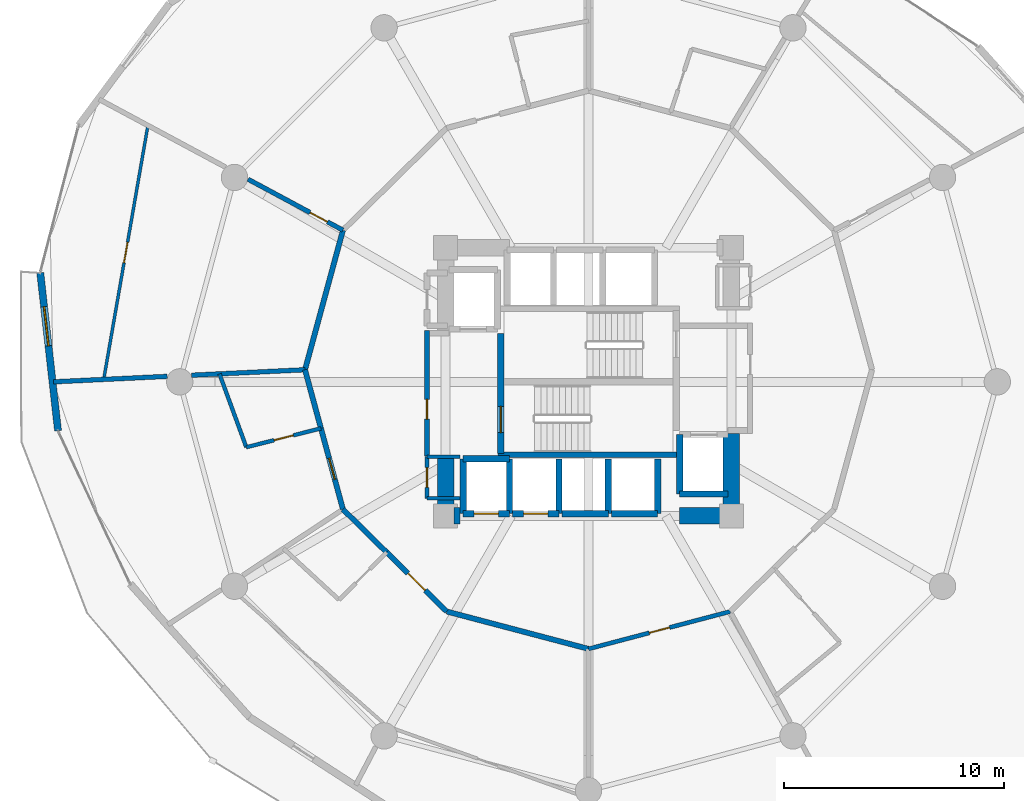
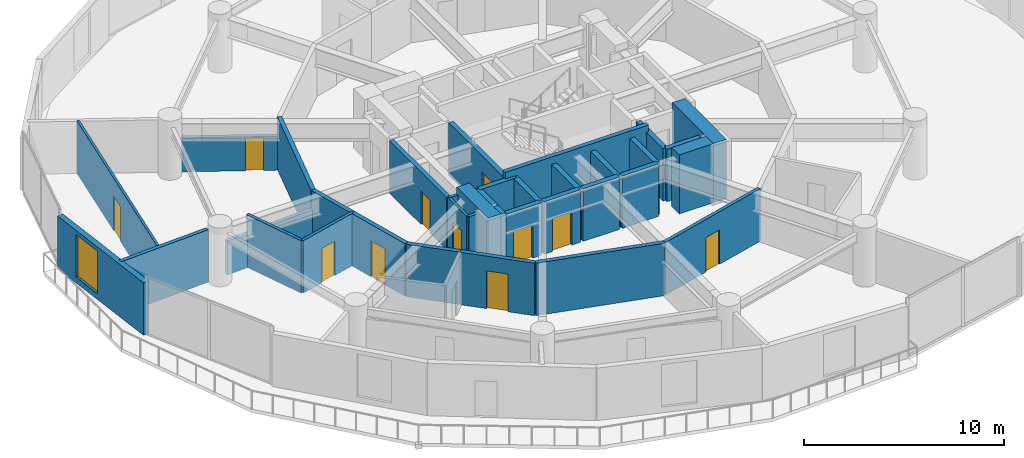
# One storey, part 19 of 24: 36 walls, 11 doors, 1 window, 12 openings.
"""IFC4 building model written with IfcOpenShell, lengths in metres."""

from ifc_helpers import new_model, si_unit, direction, frame, frame_2d, origin, place, context, subcontext, project, spatial, rectangle, extrude, material, layer, layer_set, type_object, element, fill, save


model = new_model("IFC4")

# Units and contexts
model_context = context("Model", 3, precision=1e-05, world=origin(), true_north=direction((0.0, 1.0)))
body_context = subcontext(model_context, "Body", "Model", "MODEL_VIEW")
ifc_project = project(units=[si_unit("LENGTHUNIT", "METRE"), si_unit("AREAUNIT", "SQUARE_METRE"), si_unit("VOLUMEUNIT", "CUBIC_METRE"), si_unit("PLANEANGLEUNIT", "RADIAN"), si_unit("MASSUNIT", "GRAM", prefix="KILO")], contexts=[model_context])

# Site, building, storey
site_placement = place(None, origin())
site = spatial("IfcSite", under=ifc_project, at=site_placement, CompositionType="ELEMENT")
building_placement = place(site_placement, origin())
building = spatial("IfcBuilding", under=site, at=building_placement, Name="Solvirekh Grand Hotel", CompositionType="ELEMENT")
storey_placement = place(building_placement, frame((0.0, 0.0, 89.60009765625)))
storey = spatial("IfcBuildingStorey", under=building, at=storey_placement, Name="L22", CompositionType="ELEMENT", Elevation=89.60009765625)

# Wall
ifc_material_1 = material(Name="Concrete C50/60", Category="concrete")
ifc_layer_1 = layer(ifc_material_1, 0.35009765625)
ifc_layer_set_1 = layer_set([ifc_layer_1], Name="Concrete C50/60")
wall_type_1 = type_object("IfcWallType", Name="CoreDivWall_RC350", PredefinedType="SOLIDWALL", material=ifc_layer_set_1)
wall_1_placement = place(storey_placement, frame((-4.1298828125, -3.324951171875, 0.0), z_axis=(0.0, 0.0, 1.0), x_axis=(1.0, 0.0, 0.0)))
element("IfcWall", 1, at=wall_1_placement, inside=storey, type_object=wall_type_1, Name="L22 core stair box wall ST-S", PredefinedType="SOLIDWALL", context=body_context, shape_type="SweptSolid", body=[
    extrude(rectangle(XDim=8.259765625, YDim=0.25, at=frame_2d((4.1298828125, 0.0))), origin(), (0.0, 0.0, 1.0), 3.599853515625),
])

# Wall, opening, door
ifc_material_2 = material(Name="Concrete C40/50", Category="concrete")
ifc_layer_2 = layer(ifc_material_2, 0.280029296875)
ifc_layer_set_2 = layer_set([ifc_layer_2], Name="Concrete C40/50")
wall_type_2 = type_object("IfcWallType", Name="CoreShaftWall_RC280", PredefinedType="SOLIDWALL", material=ifc_layer_set_2)
wall_2_placement = place(storey_placement, frame((-5.699951171875, -6.0, 0.0), z_axis=(0.0, 0.0, 1.0), x_axis=(1.0, 0.0, 0.0)))
wall_2 = element("IfcWall", 2, at=wall_2_placement, inside=storey, type_object=wall_type_2, Name="L22 LP-1 hoistway S wall", PredefinedType="SOLIDWALL", context=body_context, shape_type="SweptSolid", body=[
    extrude(rectangle(XDim=2.099853515625, YDim=0.280029296875, at=frame_2d((1.0498046875, 0.0))), origin(), (0.0, 0.0, 1.0), 3.199951171875),
])
opening_1_placement = place(wall_2_placement, frame((0.5, 0.0, 0.0)))
opening_1 = element("IfcOpeningElement", 3, at=opening_1_placement, cuts=wall_2, Name="Opening LD03", PredefinedType="OPENING", context=body_context, shape_type="SweptSolid", body=[
    extrude(rectangle(XDim=1.10009765625, YDim=2.02001953125, at=frame_2d((0.550048828125, 1.010009765625))), frame((0.0, 0.14990234375, 0.0), z_axis=(0.0, -1.0, 0.0), x_axis=(1.0, 0.0, 0.0)), (0.0, 0.0, 1.0), 0.300048828125),
])
ifc_material_3 = material(Name="Fire-Rated Steel Door Assembly", Category="steel")
door_type_1 = type_object("IfcDoorType", Name="Door_LiftLow_1100X2020", OperationType="SLIDING_TO_LEFT", PredefinedType="DOOR", material=ifc_material_3)
door_1_placement = place(opening_1_placement, origin())
door_1 = element("IfcDoor", 4, at=door_1_placement, inside=storey, type_object=door_type_1, Name="L22 LP-1 sliding lift landing door", OperationType="SLIDING_TO_LEFT", OverallHeight=2.02001953125, OverallWidth=1.10009765625, PredefinedType="DOOR", context=body_context, shape_type="SweptSolid", body=[
    extrude(rectangle(XDim=1.10009765625, YDim=2.02001953125, at=frame_2d((0.550048828125, 1.010009765625))), frame((0.0, 0.02490234375, 0.0), z_axis=(0.0, -1.0, 0.0), x_axis=(1.0, 0.0, 0.0)), (0.0, 0.0, 1.0), 0.050048828125),
])
fill(opening_1, door_1)

# Walls
wall_3_placement = place(storey_placement, frame((-3.60009765625, -3.5, 0.0), z_axis=(0.0, 0.0, 1.0), x_axis=(-1.0, 0.0, 0.0)))
element("IfcWall", 5, at=wall_3_placement, inside=storey, type_object=wall_type_2, Name="L22 LP-1 hoistway N wall", PredefinedType="SOLIDWALL", context=body_context, shape_type="SweptSolid", body=[
    extrude(rectangle(XDim=2.099853515625, YDim=0.280029296875, at=frame_2d((1.0498046875, 0.0))), origin(), (0.0, 0.0, 1.0), 3.199951171875),
])
for number, where, z_axis, x_axis, name in (
    (6, (-5.699951171875, -3.5, 0.0), (0.0, 0.0, 1.0), (0.0, -1.0, 0.0), "L22 LP-1 hoistway W wall"),
    (7, (-3.60009765625, -6.0, 0.0), (0.0, 0.0, 1.0), (0.0, 1.0, 0.0), "L22 LP-1 hoistway E wall"),
):
    element("IfcWall", number, at=place(storey_placement, frame(where, z_axis=z_axis, x_axis=x_axis)), inside=storey, type_object=wall_type_2, Name=name, PredefinedType="SOLIDWALL", context=body_context, shape_type="SweptSolid", body=[
        extrude(rectangle(XDim=2.5, YDim=0.280029296875, at=frame_2d((1.25, 0.0))), origin(), (0.0, 0.0, 1.0), 3.199951171875),
    ])

# Wall, opening, door
wall_4_placement = place(storey_placement, frame((-3.449951171875, -6.0, 0.0), z_axis=(0.0, 0.0, 1.0), x_axis=(1.0, 0.0, 0.0)))
wall_4 = element("IfcWall", 8, at=wall_4_placement, inside=storey, type_object=wall_type_2, Name="L22 LP-2 hoistway S wall", PredefinedType="SOLIDWALL", context=body_context, shape_type="SweptSolid", body=[
    extrude(rectangle(XDim=2.099853515625, YDim=0.280029296875, at=frame_2d((1.0498046875, 0.0))), origin(), (0.0, 0.0, 1.0), 3.199951171875),
])
opening_2_placement = place(wall_4_placement, frame((0.5, 0.0, 0.0)))
opening_2 = element("IfcOpeningElement", 9, at=opening_2_placement, cuts=wall_4, Name="Opening LD03", PredefinedType="OPENING", context=body_context, shape_type="SweptSolid", body=[
    extrude(rectangle(XDim=1.10009765625, YDim=2.02001953125, at=frame_2d((0.550048828125, 1.010009765625))), frame((0.0, 0.14990234375, 0.0), z_axis=(0.0, -1.0, 0.0), x_axis=(1.0, 0.0, 0.0)), (0.0, 0.0, 1.0), 0.300048828125),
])
door_2_placement = place(opening_2_placement, origin())
door_2 = element("IfcDoor", 10, at=door_2_placement, inside=storey, type_object=door_type_1, Name="L22 LP-2 sliding lift landing door", OperationType="SLIDING_TO_LEFT", OverallHeight=2.02001953125, OverallWidth=1.10009765625, PredefinedType="DOOR", context=body_context, shape_type="SweptSolid", body=[
    extrude(rectangle(XDim=1.10009765625, YDim=2.02001953125, at=frame_2d((0.550048828125, 1.010009765625))), frame((0.0, 0.02490234375, 0.0), z_axis=(0.0, -1.0, 0.0), x_axis=(1.0, 0.0, 0.0)), (0.0, 0.0, 1.0), 0.050048828125),
])
fill(opening_2, door_2)

# Walls
wall_5_placement = place(storey_placement, frame((-1.35009765625, -6.0, 0.0), z_axis=(0.0, 0.0, 1.0), x_axis=(0.0, 1.0, 0.0)))
element("IfcWall", 11, at=wall_5_placement, inside=storey, type_object=wall_type_2, Name="L22 LP-2 hoistway E wall", PredefinedType="SOLIDWALL", context=body_context, shape_type="SweptSolid", body=[
    extrude(rectangle(XDim=2.5, YDim=0.280029296875, at=frame_2d((1.25, 0.0))), origin(), (0.0, 0.0, 1.0), 3.199951171875),
])
wall_6_placement = place(storey_placement, frame((-1.199951171875, -6.0, 0.0), z_axis=(0.0, 0.0, 1.0), x_axis=(1.0, 0.0, 0.0)))
element("IfcWall", 12, at=wall_6_placement, inside=storey, type_object=wall_type_2, Name="L22 MP-1 hoistway S wall", PredefinedType="SOLIDWALL", context=body_context, shape_type="SweptSolid", body=[
    extrude(rectangle(XDim=2.099853515625, YDim=0.280029296875, at=frame_2d((1.0498046875, 0.0))), origin(), (0.0, 0.0, 1.0), 3.199951171875),
])
wall_7_placement = place(storey_placement, frame((0.89990234375, -6.0, 0.0), z_axis=(0.0, 0.0, 1.0), x_axis=(0.0, 1.0, 0.0)))
element("IfcWall", 13, at=wall_7_placement, inside=storey, type_object=wall_type_2, Name="L22 MP-1 hoistway E wall", PredefinedType="SOLIDWALL", context=body_context, shape_type="SweptSolid", body=[
    extrude(rectangle(XDim=2.5, YDim=0.280029296875, at=frame_2d((1.25, 0.0))), origin(), (0.0, 0.0, 1.0), 3.199951171875),
])
wall_8_placement = place(storey_placement, frame((1.050048828125, -6.0, 0.0), z_axis=(0.0, 0.0, 1.0), x_axis=(1.0, 0.0, 0.0)))
element("IfcWall", 14, at=wall_8_placement, inside=storey, type_object=wall_type_2, Name="L22 MP-2 hoistway S wall", PredefinedType="SOLIDWALL", context=body_context, shape_type="SweptSolid", body=[
    extrude(rectangle(XDim=2.099853515625, YDim=0.280029296875, at=frame_2d((1.0498046875, 0.0))), origin(), (0.0, 0.0, 1.0), 3.199951171875),
])
wall_9_placement = place(storey_placement, frame((3.14990234375, -6.0, 0.0), z_axis=(0.0, 0.0, 1.0), x_axis=(0.0, 1.0, 0.0)))
element("IfcWall", 15, at=wall_9_placement, inside=storey, type_object=wall_type_2, Name="L22 MP-2 hoistway E wall", PredefinedType="SOLIDWALL", context=body_context, shape_type="SweptSolid", body=[
    extrude(rectangle(XDim=2.5, YDim=0.280029296875, at=frame_2d((1.25, 0.0))), origin(), (0.0, 0.0, 1.0), 3.199951171875),
])
wall_10_placement = place(storey_placement, frame((4.14990234375, -5.10009765625, 0.0), z_axis=(0.0, 0.0, 1.0), x_axis=(1.0, 0.0, 0.0)))
element("IfcWall", 16, at=wall_10_placement, inside=storey, type_object=wall_type_2, Name="L22 FL-2 hoistway S wall", PredefinedType="SOLIDWALL", context=body_context, shape_type="SweptSolid", body=[
    extrude(rectangle(XDim=2.2001953125, YDim=0.280029296875, at=frame_2d((1.10009765625, 0.0))), origin(), (0.0, 0.0, 1.0), 3.199951171875),
])
wall_11_placement = place(storey_placement, frame((4.14990234375, -2.39990234375, 0.0), z_axis=(0.0, 0.0, 1.0), x_axis=(0.0, -1.0, 0.0)))
element("IfcWall", 17, at=wall_11_placement, inside=storey, type_object=wall_type_2, Name="L22 FL-2 hoistway W wall", PredefinedType="SOLIDWALL", context=body_context, shape_type="SweptSolid", body=[
    extrude(rectangle(XDim=2.7001953125, YDim=0.280029296875, at=frame_2d((1.35009765625, 0.0))), origin(), (0.0, 0.0, 1.0), 3.199951171875),
])

# Wall, opening, door
wall_12_placement = place(storey_placement, frame((-3.989990234375, -3.25, 0.0), z_axis=(0.0, 0.0, 1.0), x_axis=(0.0, 1.0, 0.0)))
wall_12 = element("IfcWall", 18, at=wall_12_placement, inside=storey, type_object=wall_type_2, Name="L22 west stair landing enclosure wall", PredefinedType="SOLIDWALL", context=body_context, shape_type="SweptSolid", body=[
    extrude(rectangle(XDim=5.4599609375, YDim=0.280029296875, at=frame_2d((2.72998046875, 0.0))), origin(), (0.0, 0.0, 1.0), 3.199951171875),
])
opening_3_placement = place(wall_12_placement, frame((0.93701171875, 0.0, 0.0)))
opening_3 = element("IfcOpeningElement", 19, at=opening_3_placement, cuts=wall_12, Name="Opening D05", PredefinedType="OPENING", context=body_context, shape_type="SweptSolid", body=[
    extrude(rectangle(XDim=1.199951171875, YDim=2.199951171875, at=frame_2d((0.60009765625, 1.10009765625))), frame((0.0, 0.14990234375, 0.0), z_axis=(0.0, -1.0, 0.0), x_axis=(1.0, 0.0, 0.0)), (0.0, 0.0, 1.0), 0.300048828125),
])
door_type_2 = type_object("IfcDoorType", Name="Door_StairCore_1200X2200", OperationType="NOTDEFINED", PredefinedType="DOOR", material=ifc_material_3)
door_3_placement = place(opening_3_placement, origin())
door_3 = element("IfcDoor", 20, at=door_3_placement, inside=storey, type_object=door_type_2, Name="L22 exit stair ST-1 fire door", OperationType="SINGLE_SWING_RIGHT", OverallHeight=2.199951171875, OverallWidth=1.199951171875, PredefinedType="DOOR", context=body_context, shape_type="SweptSolid", body=[
    extrude(rectangle(XDim=1.199951171875, YDim=2.199951171875, at=frame_2d((0.60009765625, 1.10009765625))), frame((0.0, 0.02490234375, 0.0), z_axis=(0.0, -1.0, 0.0), x_axis=(1.0, 0.0, 0.0)), (0.0, 0.0, 1.0), 0.050048828125),
])
fill(opening_3, door_3)

# Walls
ifc_material_4 = material(Name="Concrete C60/75", Category="concrete")
ifc_layer_3 = layer(ifc_material_4, 0.75)
ifc_layer_set_3 = layer_set([ifc_layer_3], Name="Concrete C60/75")
wall_type_3 = type_object("IfcWallType", Name="CoreWall_RC750", PredefinedType="SHEAR", material=ifc_layer_set_3)
wall_13_placement = place(storey_placement, frame((-6.125, -6.10009765625, 0.0), z_axis=(0.0, 0.0, 1.0), x_axis=(1.0, 0.0, 0.0)))
element("IfcWall", 21, at=wall_13_placement, inside=storey, type_object=wall_type_3, Name="L22 core corner shear wall SW-S", PredefinedType="SHEAR", context=body_context, shape_type="SweptSolid", body=[
    extrude(rectangle(XDim=0.27490234375, YDim=0.75, at=frame_2d((0.137451171875, 0.0))), origin(), (0.0, 0.0, 1.0), 3.599853515625),
])
wall_14_placement = place(storey_placement, frame((4.14990234375, -6.10009765625, 0.0), z_axis=(0.0, 0.0, 1.0), x_axis=(1.0, 0.0, 0.0)))
element("IfcWall", 22, at=wall_14_placement, inside=storey, type_object=wall_type_3, Name="L22 core corner shear wall SE-S", PredefinedType="SHEAR", context=body_context, shape_type="SweptSolid", body=[
    extrude(rectangle(XDim=1.97509765625, YDim=0.75, at=frame_2d((0.987548828125, 0.0))), origin(), (0.0, 0.0, 1.0), 3.599853515625),
])
wall_15_placement = place(storey_placement, frame((-6.5, -6.47509765625, 0.0), z_axis=(0.0, 0.0, 1.0), x_axis=(0.0, 1.0, 0.0)))
element("IfcWall", 23, at=wall_15_placement, inside=storey, type_object=wall_type_3, Name="L22 core corner shear wall WS-W", PredefinedType="SHEAR", context=body_context, shape_type="SweptSolid", body=[
    extrude(rectangle(XDim=3.125, YDim=0.75, at=frame_2d((1.5625, 0.0))), origin(), (0.0, 0.0, 1.0), 3.599853515625),
])
wall_16_placement = place(storey_placement, frame((6.5, -6.47509765625, 0.0), z_axis=(0.0, 0.0, 1.0), x_axis=(0.0, 1.0, 0.0)))
element("IfcWall", 24, at=wall_16_placement, inside=storey, type_object=wall_type_3, Name="L22 core corner shear wall ES-E", PredefinedType="SHEAR", context=body_context, shape_type="SweptSolid", body=[
    extrude(rectangle(XDim=4.125, YDim=0.75, at=frame_2d((2.0625, 0.0))), origin(), (0.0, 0.0, 1.0), 3.599853515625),
])

# Wall, opening, window
ifc_material_5 = material(Name="Precast concrete C45/55", Category="concrete")
ifc_layer_4 = layer(ifc_material_5, 0.320068359375)
ifc_layer_set_4 = layer_set([ifc_layer_4], Name="Precast concrete C45/55")
wall_type_4 = type_object("IfcWallType", Name="ExtLobbyWall_RC320", PredefinedType="SOLIDWALL", material=ifc_layer_set_4)
wall_17_placement = place(storey_placement, frame((-24.136962890625, -2.22412109375, 0.0), z_axis=(0.0, 0.0, 1.0), x_axis=(-0.111716865036, 0.99374007772, 0.0)))
wall_17 = element("IfcWall", 25, at=wall_17_placement, inside=storey, type_object=wall_type_4, Name="L22 exterior structural wall chord 12", PredefinedType="SOLIDWALL", context=body_context, shape_type="SweptSolid", body=[
    extrude(rectangle(XDim=7.2333984375, YDim=0.320068359375, at=frame_2d((3.61669921875, 0.0))), origin(), (0.0, 0.0, 1.0), 3.199951171875),
])
opening_4_placement = place(wall_17_placement, frame((3.883056640625, 0.0, 0.35009765625)))
opening_4 = element("IfcOpeningElement", 26, at=opening_4_placement, cuts=wall_17, Name="Opening W02", PredefinedType="OPENING", context=body_context, shape_type="SweptSolid", body=[
    extrude(rectangle(XDim=1.800048828125, YDim=2.60009765625, at=frame_2d((0.89990234375, 1.300048828125))), frame((0.0, 0.169921875, 0.0), z_axis=(0.0, -1.0, 0.0), x_axis=(1.0, 0.0, 0.0)), (0.0, 0.0, 1.0), 0.340087890625),
])
ifc_material_6 = material(Name="Low-E Tinted Bronze Laminated Glass", Category="aluminium")
window_type = type_object("IfcWindowType", Name="Win_LobbyExt_1800X2600", PartitioningType="SINGLE_PANEL", PredefinedType="WINDOW", material=ifc_material_6)
window_placement = place(opening_4_placement, origin())
window = element("IfcWindow", 27, at=window_placement, inside=storey, type_object=window_type, Name="L22 panoramic bronze-framed window 12", OverallHeight=2.60009765625, OverallWidth=1.800048828125, PartitioningType="SINGLE_PANEL", PredefinedType="WINDOW", context=body_context, shape_type="SweptSolid", body=[
    extrude(rectangle(XDim=1.800048828125, YDim=2.60009765625, at=frame_2d((0.89990234375, 1.300048828125))), frame((0.0, 0.030029296875, 0.0), z_axis=(0.0, -1.0, 0.0), x_axis=(1.0, 0.0, 0.0)), (0.0, 0.0, 1.0), 0.06005859375),
])
fill(opening_4, window)

# Walls
ifc_material_7 = material(Name="Acoustic Gypsum Partition Assembly")
ifc_layer_5 = layer(ifc_material_7, 0.1650390625)
ifc_layer_set_5 = layer_set([ifc_layer_5], Name="Acoustic Gypsum Partition Assembly")
wall_type_5 = type_object("IfcWallType", Name="Part_BOH_165", PredefinedType="PARTITIONING", material=ifc_layer_set_5)
for number, where, z_axis, x_axis, name in (
    (28, (-7.35009765625, -5.300048828125, 0.0), (0.0, 0.0, 1.0), (1.0, 0.0, 0.0), "L22 L22 Butler Service Closet wall 1"),
    (29, (-5.85009765625, -3.39990234375, 0.0), (0.0, 0.0, 1.0), (-1.0, 0.0, 0.0), "L22 L22 Butler Service Closet wall 3"),
):
    element("IfcWall", number, at=place(storey_placement, frame(where, z_axis=z_axis, x_axis=x_axis)), inside=storey, type_object=wall_type_5, Name=name, PredefinedType="PARTITIONING", context=body_context, shape_type="SweptSolid", body=[
        extrude(rectangle(XDim=1.5, YDim=0.1650390625, at=frame_2d((0.75, 0.0))), origin(), (0.0, 0.0, 1.0), 3.199951171875),
    ])

# Wall, opening, door
wall_18_placement = place(storey_placement, frame((-7.35009765625, -3.39990234375, 0.0), z_axis=(0.0, 0.0, 1.0), x_axis=(0.0, -1.0, 0.0)))
wall_18 = element("IfcWall", 30, at=wall_18_placement, inside=storey, type_object=wall_type_5, Name="L22 L22 Butler Service Closet wall 4", PredefinedType="PARTITIONING", context=body_context, shape_type="SweptSolid", body=[
    extrude(rectangle(XDim=1.900146484375, YDim=0.1650390625, at=frame_2d((0.9501953125, 0.0))), origin(), (0.0, 0.0, 1.0), 3.199951171875),
])
opening_5_placement = place(wall_18_placement, frame((0.5, 0.0, 0.0)))
opening_5 = element("IfcOpeningElement", 31, at=opening_5_placement, cuts=wall_18, Name="Opening D14", PredefinedType="OPENING", context=body_context, shape_type="SweptSolid", body=[
    extrude(rectangle(XDim=0.89990234375, YDim=2.02001953125, at=frame_2d((0.449951171875, 1.010009765625))), frame((0.0, 0.092529296875, 0.0), z_axis=(0.0, -1.0, 0.0), x_axis=(1.0, 0.0, 0.0)), (0.0, 0.0, 1.0), 0.18505859375),
])
door_type_3 = type_object("IfcDoorType", Name="Door_LowHeadroom_900X2020", OperationType="NOTDEFINED", PredefinedType="DOOR", material=ifc_material_3)
door_4_placement = place(opening_5_placement, origin())
door_4 = element("IfcDoor", 32, at=door_4_placement, inside=storey, type_object=door_type_3, Name="L22 L22 Butler Service Closet door", OperationType="SINGLE_SWING_LEFT", OverallHeight=2.02001953125, OverallWidth=0.89990234375, PredefinedType="DOOR", context=body_context, shape_type="SweptSolid", body=[
    extrude(rectangle(XDim=0.89990234375, YDim=2.02001953125, at=frame_2d((0.449951171875, 1.010009765625))), frame((0.0, 0.02490234375, 0.0), z_axis=(0.0, -1.0, 0.0), x_axis=(1.0, 0.0, 0.0)), (0.0, 0.0, 1.0), 0.050048828125),
])
fill(opening_5, door_4)

ifc_layer_6 = layer(ifc_material_7, 0.239990234375)
ifc_layer_set_6 = layer_set([ifc_layer_6], Name="Acoustic Gypsum Partition Assembly")
wall_type_6 = type_object("IfcWallType", Name="Part_Corridor_240", PredefinedType="PARTITIONING", material=ifc_layer_set_6)
wall_19_placement = place(storey_placement, frame((-7.35009765625, -3.3798828125, 0.0), z_axis=(0.0, 0.0, 1.0), x_axis=(0.0, 1.0, 0.0)))
wall_19 = element("IfcWall", 33, at=wall_19_placement, inside=storey, type_object=wall_type_6, Name="L22 west firefighting lobby smoke screen wall", PredefinedType="PARTITIONING", context=body_context, shape_type="SweptSolid", body=[
    extrude(rectangle(XDim=5.719970703125, YDim=0.239990234375, at=frame_2d((2.85986328125, 0.0))), origin(), (0.0, 0.0, 1.0), 3.199951171875),
])
opening_6_placement = place(wall_19_placement, frame((1.68701171875, 0.0, 0.0)))
opening_6 = element("IfcOpeningElement", 34, at=opening_6_placement, cuts=wall_19, Name="Opening D14", PredefinedType="OPENING", context=body_context, shape_type="SweptSolid", body=[
    extrude(rectangle(XDim=0.89990234375, YDim=2.02001953125, at=frame_2d((0.449951171875, 1.010009765625))), frame((0.0, 0.1298828125, 0.0), z_axis=(0.0, -1.0, 0.0), x_axis=(1.0, 0.0, 0.0)), (0.0, 0.0, 1.0), 0.260009765625),
])
door_5_placement = place(opening_6_placement, origin())
door_5 = element("IfcDoor", 35, at=door_5_placement, inside=storey, type_object=door_type_3, Name="L22 west firefighting lobby smoke door", OperationType="SINGLE_SWING_RIGHT", OverallHeight=2.02001953125, OverallWidth=0.89990234375, PredefinedType="DOOR", context=body_context, shape_type="SweptSolid", body=[
    extrude(rectangle(XDim=0.89990234375, YDim=2.02001953125, at=frame_2d((0.449951171875, 1.010009765625))), frame((0.0, 0.02490234375, 0.0), z_axis=(0.0, -1.0, 0.0), x_axis=(1.0, 0.0, 0.0)), (0.0, 0.0, 1.0), 0.050048828125),
])
fill(opening_6, door_5)

# Walls
wall_20_placement = place(storey_placement, frame((-11.172119140625, 6.89990234375, 0.0), z_axis=(0.0, 0.0, 1.0), x_axis=(-0.262552308576, -0.96491776088, 0.0)))
element("IfcWall", 36, at=wall_20_placement, inside=storey, type_object=wall_type_6, Name="L22 Diplomatic Suite 2403 Suite Foyer corridor enclosure wall", PredefinedType="PARTITIONING", context=body_context, shape_type="SweptSolid", body=[
    extrude(rectangle(XDim=6.580810546875, YDim=0.239990234375, at=frame_2d((3.29052734375, 0.0))), origin(), (0.0, 0.0, 1.0), 3.199951171875),
])
wall_21_placement = place(storey_placement, frame((-12.89990234375, 0.550048828125, 0.0), z_axis=(0.0, 0.0, 1.0), x_axis=(0.262601663623, -0.964904330109, 0.0)))
element("IfcWall", 37, at=wall_21_placement, inside=storey, type_object=wall_type_6, Name="L22 En-suite Bathroom 2404 corridor backing wall", PredefinedType="PARTITIONING", context=body_context, shape_type="SweptSolid", body=[
    extrude(rectangle(XDim=2.763916015625, YDim=0.239990234375, at=frame_2d((1.3818359375, 0.0))), origin(), (0.0, 0.0, 1.0), 3.199951171875),
])

# Wall, opening, door
wall_22_placement = place(storey_placement, frame((-12.174072265625, -2.116943359375, 0.0), z_axis=(0.0, 0.0, 1.0), x_axis=(0.262500363951, -0.964931893413, 0.0)))
wall_22 = element("IfcWall", 38, at=wall_22_placement, inside=storey, type_object=wall_type_6, Name="L22 Deluxe Guestroom 2404 entrance wall", PredefinedType="PARTITIONING", context=body_context, shape_type="SweptSolid", body=[
    extrude(rectangle(XDim=3.81689453125, YDim=0.239990234375, at=frame_2d((1.908447265625, 0.0))), origin(), (0.0, 0.0, 1.0), 3.199951171875),
])
opening_7_placement = place(wall_22_placement, frame((1.407958984375, 0.0, 0.0)))
opening_7 = element("IfcOpeningElement", 39, at=opening_7_placement, cuts=wall_22, Name="Opening D07", PredefinedType="OPENING", context=body_context, shape_type="SweptSolid", body=[
    extrude(rectangle(XDim=1.0, YDim=2.199951171875, at=frame_2d((0.5, 1.10009765625))), frame((0.0, 0.1298828125, 0.0), z_axis=(0.0, -1.0, 0.0), x_axis=(1.0, 0.0, 0.0)), (0.0, 0.0, 1.0), 0.260009765625),
])
door_type_4 = type_object("IfcDoorType", Name="Door_GuestEntry_1000X2200", OperationType="NOTDEFINED", PredefinedType="DOOR", material=ifc_material_3)
door_6_placement = place(opening_7_placement, origin())
door_6 = element("IfcDoor", 40, at=door_6_placement, inside=storey, type_object=door_type_4, Name="L22 Deluxe Guestroom 2404 entrance door", OperationType="SINGLE_SWING_RIGHT", OverallHeight=2.199951171875, OverallWidth=1.0, PredefinedType="DOOR", context=body_context, shape_type="SweptSolid", body=[
    extrude(rectangle(XDim=1.0, YDim=2.199951171875, at=frame_2d((0.5, 1.10009765625))), frame((0.0, 0.02490234375, 0.0), z_axis=(0.0, -1.0, 0.0), x_axis=(1.0, 0.0, 0.0)), (0.0, 0.0, 1.0), 0.050048828125),
])
fill(opening_7, door_6)

# Walls
wall_23_placement = place(storey_placement, frame((-11.172119140625, -5.800048828125, 0.0), z_axis=(0.0, 0.0, 1.0), x_axis=(0.712524314294, -0.701647419677, 0.0)))
element("IfcWall", 41, at=wall_23_placement, inside=storey, type_object=wall_type_6, Name="L22 En-suite Bathroom 2405 corridor backing wall", PredefinedType="PARTITIONING", context=body_context, shape_type="SweptSolid", body=[
    extrude(rectangle(XDim=2.783203125, YDim=0.239990234375, at=frame_2d((1.3916015625, 0.0))), origin(), (0.0, 0.0, 1.0), 3.199951171875),
])
wall_24_placement = place(storey_placement, frame((-6.449951171875, -10.448974609375, 0.0), z_axis=(0.0, 0.0, 1.0), x_axis=(0.966942608664, -0.254994101009, 0.0)))
element("IfcWall", 42, at=wall_24_placement, inside=storey, type_object=wall_type_6, Name="L22 Executive Suite 2405 Living Room corridor wall 1", PredefinedType="PARTITIONING", context=body_context, shape_type="SweptSolid", body=[
    extrude(rectangle(XDim=6.67041015625, YDim=0.239990234375, at=frame_2d((3.335205078125, 0.0))), origin(), (0.0, 0.0, 1.0), 3.199951171875),
])

# Wall, opening, door
wall_25_placement = place(storey_placement, frame((-9.18896484375, -7.7529296875, 0.0), z_axis=(0.0, 0.0, 1.0), x_axis=(0.712674788685, -0.70149457986, 0.0)))
wall_25 = element("IfcWall", 43, at=wall_25_placement, inside=storey, type_object=wall_type_6, Name="L22 Executive Suite 2405 Living Room entrance wall", PredefinedType="PARTITIONING", context=body_context, shape_type="SweptSolid", body=[
    extrude(rectangle(XDim=3.84326171875, YDim=0.239990234375, at=frame_2d((1.921630859375, 0.0))), origin(), (0.0, 0.0, 1.0), 3.199951171875),
])
opening_8_placement = place(wall_25_placement, frame((1.3720703125, 0.0, 0.0)))
opening_8 = element("IfcOpeningElement", 44, at=opening_8_placement, cuts=wall_25, Name="Opening D08", PredefinedType="OPENING", context=body_context, shape_type="SweptSolid", body=[
    extrude(rectangle(XDim=1.10009765625, YDim=2.300048828125, at=frame_2d((0.550048828125, 1.14990234375))), frame((0.0, 0.1298828125, 0.0), z_axis=(0.0, -1.0, 0.0), x_axis=(1.0, 0.0, 0.0)), (0.0, 0.0, 1.0), 0.260009765625),
])
door_type_5 = type_object("IfcDoorType", Name="Door_SuiteEntry_1100X2300", OperationType="NOTDEFINED", PredefinedType="DOOR", material=ifc_material_3)
door_7_placement = place(opening_8_placement, origin())
door_7 = element("IfcDoor", 45, at=door_7_placement, inside=storey, type_object=door_type_5, Name="L22 Executive Suite 2405 Living Room entrance door", OperationType="SINGLE_SWING_RIGHT", OverallHeight=2.300048828125, OverallWidth=1.10009765625, PredefinedType="DOOR", context=body_context, shape_type="SweptSolid", body=[
    extrude(rectangle(XDim=1.10009765625, YDim=2.300048828125, at=frame_2d((0.550048828125, 1.14990234375))), frame((0.0, 0.02490234375, 0.0), z_axis=(0.0, -1.0, 0.0), x_axis=(1.0, 0.0, 0.0)), (0.0, 0.0, 1.0), 0.050048828125),
])
fill(opening_8, door_7)

ifc_layer_7 = layer(ifc_material_7, 0.18994140625)
ifc_layer_set_7 = layer_set([ifc_layer_7], Name="Acoustic Gypsum Partition Assembly")
wall_type_7 = type_object("IfcWallType", Name="Part_GuestDemise_190", PredefinedType="PARTITIONING", material=ifc_layer_set_7)
wall_26_placement = place(storey_placement, frame((0.0, -12.14990234375, 0.0), z_axis=(0.0, 0.0, 1.0), x_axis=(0.966942608664, 0.254994101009, 0.0)))
wall_26 = element("IfcWall", 46, at=wall_26_placement, inside=storey, type_object=wall_type_7, Name="L22 L22 Wintergarden Conservatory entrance wall", PredefinedType="PARTITIONING", context=body_context, shape_type="SweptSolid", body=[
    extrude(rectangle(XDim=6.67041015625, YDim=0.18994140625, at=frame_2d((3.335205078125, 0.0))), origin(), (0.0, 0.0, 1.0), 3.199951171875),
])
opening_9_placement = place(wall_26_placement, frame((2.860107421875, 0.0, 0.0)))
opening_9 = element("IfcOpeningElement", 47, at=opening_9_placement, cuts=wall_26, Name="Opening D10", PredefinedType="OPENING", context=body_context, shape_type="SweptSolid", body=[
    extrude(rectangle(XDim=0.949951171875, YDim=2.10009765625, at=frame_2d((0.47509765625, 1.050048828125))), frame((0.0, 0.10498046875, 0.0), z_axis=(0.0, -1.0, 0.0), x_axis=(1.0, 0.0, 0.0)), (0.0, 0.0, 1.0), 0.2099609375),
])
ifc_material_8 = material(Name="Anodized Bronze Aluminium 6063-T6", Category="aluminium")
door_type_6 = type_object("IfcDoorType", Name="Door_RoomInt_950X2100", OperationType="NOTDEFINED", PredefinedType="DOOR", material=ifc_material_8)
door_8_placement = place(opening_9_placement, origin())
door_8 = element("IfcDoor", 48, at=door_8_placement, inside=storey, type_object=door_type_6, Name="L22 L22 Wintergarden Conservatory entrance door", OperationType="SINGLE_SWING_LEFT", OverallHeight=2.10009765625, OverallWidth=0.949951171875, PredefinedType="DOOR", context=body_context, shape_type="SweptSolid", body=[
    extrude(rectangle(XDim=0.949951171875, YDim=2.10009765625, at=frame_2d((0.47509765625, 1.050048828125))), frame((0.0, 0.02490234375, 0.0), z_axis=(0.0, -1.0, 0.0), x_axis=(1.0, 0.0, 0.0)), (0.0, 0.0, 1.0), 0.050048828125),
])
fill(opening_9, door_8)

ifc_layer_8 = layer(ifc_material_7, 0.135009765625)
ifc_layer_set_8 = layer_set([ifc_layer_8], Name="Acoustic Gypsum Partition Assembly")
wall_type_8 = type_object("IfcWallType", Name="Part_RoomInt_135", PredefinedType="PARTITIONING", material=ifc_layer_set_8)
wall_27_placement = place(storey_placement, frame((-20.047119140625, 11.6640625, 0.0), z_axis=(0.0, 0.0, 1.0), x_axis=(-0.171473832305, -0.985188674739, 0.0)))
wall_27 = element("IfcWall", 49, at=wall_27_placement, inside=storey, type_object=wall_type_8, Name="L22 Diplomatic Suite 2403 Suite Foyer bedroom screen wall", PredefinedType="PARTITIONING", context=body_context, shape_type="SweptSolid", body=[
    extrude(rectangle(XDim=11.7275390625, YDim=0.135009765625, at=frame_2d((5.86376953125, 0.0))), origin(), (0.0, 0.0, 1.0), 3.199951171875),
])
opening_10_placement = place(wall_27_placement, frame((5.388916015625, 0.0, 0.0)))
opening_10 = element("IfcOpeningElement", 50, at=opening_10_placement, cuts=wall_27, Name="Opening D10", PredefinedType="OPENING", context=body_context, shape_type="SweptSolid", body=[
    extrude(rectangle(XDim=0.949951171875, YDim=2.10009765625, at=frame_2d((0.47509765625, 1.050048828125))), frame((0.0, 0.07763671875, 0.0), z_axis=(0.0, -1.0, 0.0), x_axis=(1.0, 0.0, 0.0)), (0.0, 0.0, 1.0), 0.155029296875),
])
door_9_placement = place(opening_10_placement, origin())
door_9 = element("IfcDoor", 51, at=door_9_placement, inside=storey, type_object=door_type_6, Name="L22 Diplomatic Suite 2403 Suite Foyer master bedroom door", OperationType="SINGLE_SWING_RIGHT", OverallHeight=2.10009765625, OverallWidth=0.949951171875, PredefinedType="DOOR", context=body_context, shape_type="SweptSolid", body=[
    extrude(rectangle(XDim=0.949951171875, YDim=2.10009765625, at=frame_2d((0.47509765625, 1.050048828125))), frame((0.0, 0.02490234375, 0.0), z_axis=(0.0, -1.0, 0.0), x_axis=(1.0, 0.0, 0.0)), (0.0, 0.0, 1.0), 0.050048828125),
])
fill(opening_10, door_9)

ifc_layer_9 = layer(ifc_material_7, 0.2099609375)
ifc_layer_set_9 = layer_set([ifc_layer_9], Name="Acoustic Gypsum Partition Assembly")
wall_type_9 = type_object("IfcWallType", Name="Part_SuiteDemise_210", PredefinedType="PARTITIONING", material=ifc_layer_set_9)
wall_28_placement = place(storey_placement, frame((-11.172119140625, 6.89990234375, 0.0), z_axis=(0.0, 0.0, 1.0), x_axis=(-0.881025167938, 0.473069396029, 0.0)))
wall_28 = element("IfcWall", 52, at=wall_28_placement, inside=storey, type_object=wall_type_9, Name="L22 suite radial wall 6 (A)", PredefinedType="PARTITIONING", context=body_context, shape_type="SweptSolid", body=[
    extrude(rectangle(XDim=4.904296875, YDim=0.2099609375, at=frame_2d((2.4521484375, 0.0))), origin(), (0.0, 0.0, 1.0), 2.06689453125),
])
opening_11_placement = place(wall_28_placement, frame((0.801025390625, 0.0, 0.0)))
opening_11 = element("IfcOpeningElement", 53, at=opening_11_placement, cuts=wall_28, Name="Opening D14", PredefinedType="OPENING", context=body_context, shape_type="SweptSolid", body=[
    extrude(rectangle(XDim=0.89990234375, YDim=2.02001953125, at=frame_2d((0.449951171875, 1.010009765625))), frame((0.0, 0.114990234375, 0.0), z_axis=(0.0, -1.0, 0.0), x_axis=(1.0, 0.0, 0.0)), (0.0, 0.0, 1.0), 0.22998046875),
])
door_10_placement = place(opening_11_placement, origin())
door_10 = element("IfcDoor", 54, at=door_10_placement, inside=storey, type_object=door_type_3, Name="L22 Diplomatic Suite 2403 Suite Foyer suite connecting door", OperationType="SINGLE_SWING_LEFT", OverallHeight=2.02001953125, OverallWidth=0.89990234375, PredefinedType="DOOR", context=body_context, shape_type="SweptSolid", body=[
    extrude(rectangle(XDim=0.89990234375, YDim=2.02001953125, at=frame_2d((0.449951171875, 1.010009765625))), frame((0.0, 0.02490234375, 0.0), z_axis=(0.0, -1.0, 0.0), x_axis=(1.0, 0.0, 0.0)), (0.0, 0.0, 1.0), 0.050048828125),
])
fill(opening_11, door_10)

# Walls
wall_29_placement = place(storey_placement, frame((-12.89990234375, 0.550048828125, 0.0), z_axis=(0.0, 0.0, 1.0), x_axis=(-0.998846217128, -0.048023270708, 0.0)))
element("IfcWall", 55, at=wall_29_placement, inside=storey, type_object=wall_type_9, Name="L22 suite radial wall 7 (A)", PredefinedType="PARTITIONING", context=body_context, shape_type="SweptSolid", body=[
    extrude(rectangle(XDim=5.1650390625, YDim=0.2099609375, at=frame_2d((2.58251953125, 0.0))), origin(), (0.0, 0.0, 1.0), 2.06689453125),
])
wall_30_placement = place(storey_placement, frame((-19.16796875, 0.2490234375, 0.0), z_axis=(0.0, 0.0, 1.0), x_axis=(-0.998845978554, -0.048028232599, 0.0)))
element("IfcWall", 56, at=wall_30_placement, inside=storey, type_object=wall_type_9, Name="L22 suite radial wall 7 (B)", PredefinedType="PARTITIONING", context=body_context, shape_type="SweptSolid", body=[
    extrude(rectangle(XDim=5.18505859375, YDim=0.2099609375, at=frame_2d((2.592529296875, 0.0))), origin(), (0.0, 0.0, 1.0), 3.199951171875),
])
ifc_layer_10 = layer(ifc_material_7, 0.175048828125)
ifc_layer_set_10 = layer_set([ifc_layer_10], Name="Acoustic Gypsum Partition Assembly")
wall_type_10 = type_object("IfcWallType", Name="Plumb_Ensuite_175", PredefinedType="PLUMBINGWALL", material=ifc_layer_set_10)
wall_31_placement = place(storey_placement, frame((-16.7919921875, 0.363037109375, 0.0), z_axis=(0.0, 0.0, 1.0), x_axis=(0.343986263083, -0.938974680601, 0.0)))
element("IfcWall", 57, at=wall_31_placement, inside=storey, type_object=wall_type_10, Name="L22 En-suite Bathroom 2404 outer plumbing wall", PredefinedType="PLUMBINGWALL", context=body_context, shape_type="SweptSolid", body=[
    extrude(rectangle(XDim=3.55517578125, YDim=0.175048828125, at=frame_2d((1.777587890625, 0.0))), origin(), (0.0, 0.0, 1.0), 3.199951171875),
])

# Wall, opening, door
wall_32_placement = place(storey_placement, frame((-12.174072265625, -2.116943359375, 0.0), z_axis=(0.0, 0.0, 1.0), x_axis=(-0.969507641887, -0.24506107876, 0.0)))
wall_32 = element("IfcWall", 58, at=wall_32_placement, inside=storey, type_object=wall_type_10, Name="L22 En-suite Bathroom 2404 entry plumbing wall", PredefinedType="PLUMBINGWALL", context=body_context, shape_type="SweptSolid", body=[
    extrude(rectangle(XDim=3.501708984375, YDim=0.175048828125, at=frame_2d((1.7509765625, 0.0))), origin(), (0.0, 0.0, 1.0), 3.199951171875),
])
opening_12_placement = place(wall_32_placement, frame((1.301025390625, 0.0, 0.0)))
opening_12 = element("IfcOpeningElement", 59, at=opening_12_placement, cuts=wall_32, Name="Opening D09", PredefinedType="OPENING", context=body_context, shape_type="SweptSolid", body=[
    extrude(rectangle(XDim=0.89990234375, YDim=2.10009765625, at=frame_2d((0.449951171875, 1.050048828125))), frame((0.0, 0.09765625, 0.0), z_axis=(0.0, -1.0, 0.0), x_axis=(1.0, 0.0, 0.0)), (0.0, 0.0, 1.0), 0.195068359375),
])
door_type_7 = type_object("IfcDoorType", Name="Door_Ensuite_900X2100", OperationType="NOTDEFINED", PredefinedType="DOOR", material=ifc_material_8)
door_11_placement = place(opening_12_placement, origin())
door_11 = element("IfcDoor", 60, at=door_11_placement, inside=storey, type_object=door_type_7, Name="L22 En-suite Bathroom 2404 door", OperationType="SINGLE_SWING_LEFT", OverallHeight=2.10009765625, OverallWidth=0.89990234375, PredefinedType="DOOR", context=body_context, shape_type="SweptSolid", body=[
    extrude(rectangle(XDim=0.89990234375, YDim=2.10009765625, at=frame_2d((0.449951171875, 1.050048828125))), frame((0.0, 0.02490234375, 0.0), z_axis=(0.0, -1.0, 0.0), x_axis=(1.0, 0.0, 0.0)), (0.0, 0.0, 1.0), 0.050048828125),
])
fill(opening_12, door_11)

save(model, "model.ifc")
